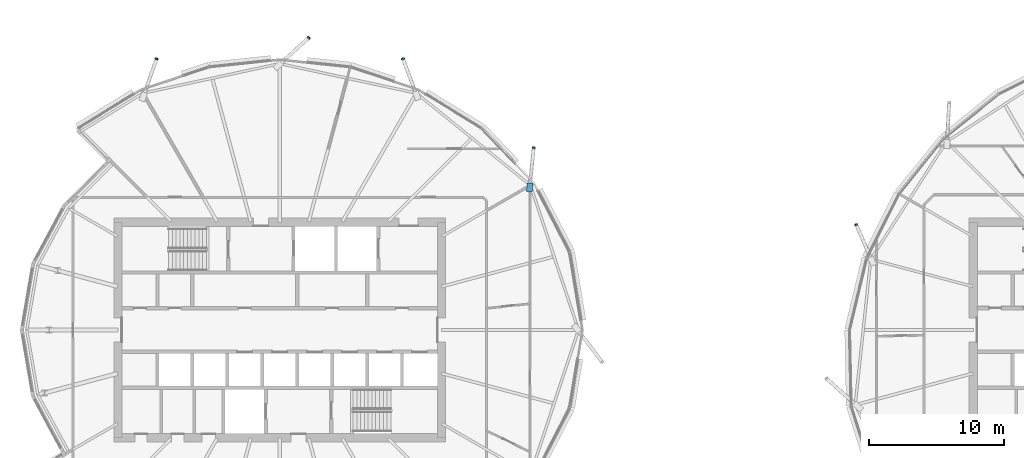
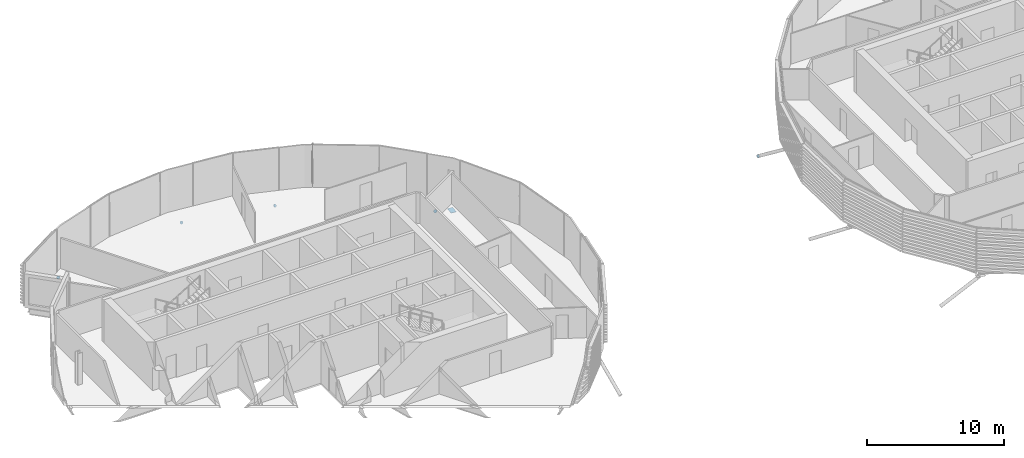
# One storey, part 28 of 37: 6 discrete accessories.
"""IFC4 building model written with IfcOpenShell, lengths in metres."""

from ifc_helpers import new_model, si_unit, direction, frame, origin, origin_2d, place, context, subcontext, project, spatial, polyline, rectangle, circle, outline, extrude, material, material_profile, profile_set, type_object, element, save


model = new_model("IFC4")

# Units and contexts
model_context = context("Model", 3, precision=1e-05, world=origin(), true_north=direction((0.0, 1.0)))
body_context = subcontext(model_context, "Body", "Model", "MODEL_VIEW")
ifc_project = project(units=[si_unit("LENGTHUNIT", "METRE"), si_unit("AREAUNIT", "SQUARE_METRE"), si_unit("VOLUMEUNIT", "CUBIC_METRE"), si_unit("PLANEANGLEUNIT", "RADIAN"), si_unit("MASSUNIT", "GRAM", prefix="KILO")], contexts=[model_context])

# Site, building, storey
site_placement = place(None, origin())
site = spatial("IfcSite", under=ifc_project, at=site_placement, CompositionType="ELEMENT")
building_placement = place(site_placement, origin())
building = spatial("IfcBuilding", under=site, at=building_placement, Name="Rimbun Link Towers", CompositionType="ELEMENT")
storey_placement = place(building_placement, frame((0.0, 0.0, 166.5)))
storey = spatial("IfcBuildingStorey", under=building, at=storey_placement, Name="L40", CompositionType="ELEMENT", Elevation=166.5)

# Discrete accessories
ifc_material_1 = material(Name="Steel S355J2H", Category="steel")
ifc_material_profile_1 = material_profile(ifc_material_1, circle(Radius=0.1240234375, at=origin_2d()), Name="PL D248")
ifc_profile_set_1 = profile_set([ifc_material_profile_1], Name="Steel S355J2H")
discrete_accessory_type_1 = type_object("IfcDiscreteAccessoryType", Name="Link foot sealing plate D248X20", PredefinedType="BRACKET", material=ifc_profile_set_1)
for number, where, z_axis, x_axis, name in (
    (1, (-12.891357421875, 13.532470703125, -2.54833984375), (0.08553137788, 0.830876242258, -0.549844572083), (-0.99474329889, 0.102400045474, 0.0), "Link foot sealing plate T1 L40 02"),
    (2, (-22.598388671875, 20.135986328125, -2.648681640625), (-0.292400403797, 0.791917760284, -0.536067406961), (-0.938096474139, -0.346374082759, 0.0), "Link foot sealing plate T1 L40 04"),
    (3, (-29.5966796875, 21.69384765625, -2.65771484375), (0.632361994278, 0.571557956367, -0.522914726038), (-0.670539669218, 0.741873676582, 0.0), "Link foot sealing plate T1 L40 06"),
    (4, (-40.8955078125, 20.132080078125, -2.6513671875), (0.281199650866, 0.794694665491, -0.537947158179), (-0.942722272979, 0.333578650439, 0.0), "Link foot sealing plate T1 L40 08"),
    (5, (11.059814453125, 7.813232421875, -2.544921875), (-0.329292779969, 0.768349819928, -0.548821299948), (-0.919145030018, -0.393919298579, 0.0), "Link foot sealing plate T2 L40 08"),
):
    element("IfcDiscreteAccessory", number, at=place(storey_placement, frame(where, z_axis=z_axis, x_axis=x_axis)), inside=storey, type_object=discrete_accessory_type_1, Name=name, PredefinedType="BRACKET", context=body_context, shape_type="SweptSolid", body=[
        extrude(circle(Radius=0.1240234375, at=origin_2d()), origin(), (0.0, 0.0, 1.0), 0.02001953125),
    ])
ifc_material_2 = material(Name="Steel S355J2H", Category="steel")
ifc_material_profile_2 = material_profile(ifc_material_2, rectangle(XDim=0.43310546875, YDim=0.43310546875, at=origin_2d()), Name="PL 433x433")
ifc_profile_set_2 = profile_set([ifc_material_profile_2], Name="Steel S355J2H")
discrete_accessory_type_2 = type_object("IfcDiscreteAccessoryType", Name="Link head end plate 433X20", PredefinedType="BRACKET", material=ifc_profile_set_2)
discrete_accessory_placement = place(storey_placement, frame((0.0, 0.0, -0.576416015625)))
element("IfcDiscreteAccessory", 6, at=discrete_accessory_placement, inside=storey, type_object=discrete_accessory_type_2, Name="Link head end plate T1 L40 02", PredefinedType="BRACKET", context=body_context, shape_type="SweptSolid", body=[
    extrude(outline(polyline([(-13.0078125, 10.23681640625), (-12.94189453125, 10.886474609375), (-13.372802734375, 10.93017578125), (-13.438720703125, 10.280517578125), (-13.0078125, 10.23681640625)])), origin(), (0.0, 0.0, 1.0), 0.02001953125),
])

save(model, "model.ifc")
